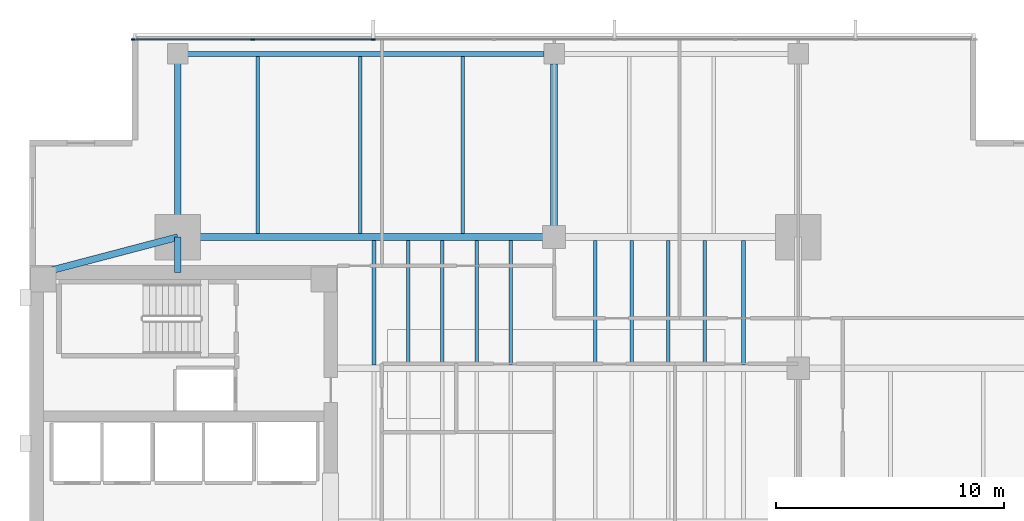
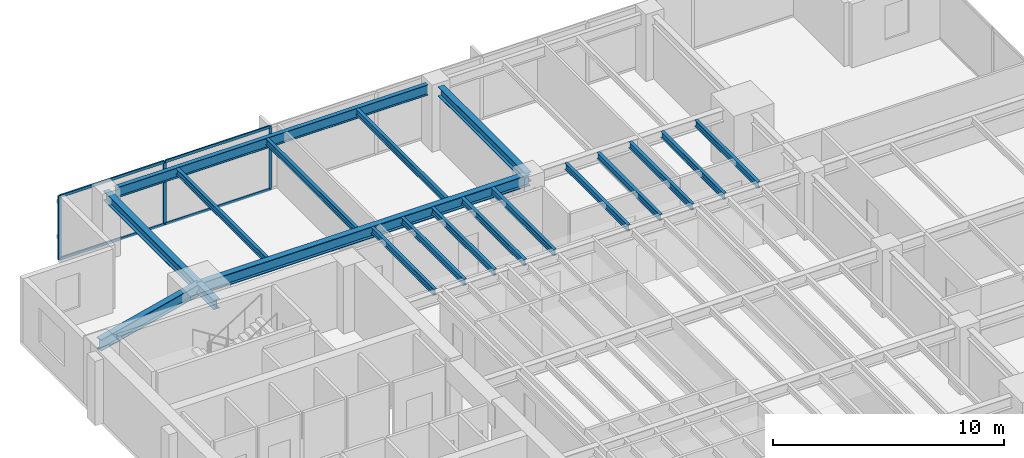
# One storey, part 5 of 14: 19 beams, 7 members, 1 element without a shape of its own.
"""IFC4 building model written with IfcOpenShell, lengths in metres."""

from ifc_helpers import new_model, si_unit, direction, frame, origin, origin_2d, place, context, subcontext, project, spatial, rectangle, i_section, extrude, material, layer, layer_set, material_profile, profile_set, type_object, element, aggregate, save


model = new_model("IFC4")

# Units and contexts
model_context = context("Model", 3, precision=1e-05, world=origin(), true_north=direction((0.0, 1.0)))
body_context = subcontext(model_context, "Body", "Model", "MODEL_VIEW")
ifc_project = project(units=[si_unit("LENGTHUNIT", "METRE"), si_unit("AREAUNIT", "SQUARE_METRE"), si_unit("VOLUMEUNIT", "CUBIC_METRE"), si_unit("PLANEANGLEUNIT", "RADIAN"), si_unit("MASSUNIT", "GRAM", prefix="KILO")], contexts=[model_context])

# Site, building, storey
site_placement = place(None, origin())
site = spatial("IfcSite", under=ifc_project, at=site_placement, CompositionType="ELEMENT")
building_placement = place(site_placement, origin())
building = spatial("IfcBuilding", under=site, at=building_placement, Name="Kinhvarn Gate Tower", CompositionType="ELEMENT")
storey_placement = place(building_placement, frame((0.0, 0.0, 116.449951171875)))
storey = spatial("IfcBuildingStorey", under=building, at=storey_placement, Name="L30", CompositionType="ELEMENT", Elevation=116.449951171875)

# Curtain wall, members
ifc_material_1 = material(Name="Anodised aluminium AW-6063", Category="aluminium")
ifc_layer = layer(ifc_material_1, 0.179931640625)
ifc_layer_set = layer_set([ifc_layer], Name="Anodised aluminium AW-6063")
curtain_wall_type = type_object("IfcCurtainWallType", Name="CW-SYS-3", PredefinedType="NOTDEFINED", material=ifc_layer_set)
curtain_wall_placement = place(storey_placement, origin())
curtain_wall = element("IfcCurtainWall", 1, at=curtain_wall_placement, inside=storey, type_object=curtain_wall_type, Name="Curtain Wall CW3 (L30)", PredefinedType="NOTDEFINED")
ifc_material_profile_1 = material_profile(ifc_material_1, rectangle(XDim=0.06494140625, YDim=0.159912109375, at=origin_2d()), Name="ALU 65x160")
ifc_profile_set_1 = profile_set([ifc_material_profile_1], Name="Anodised aluminium AW-6063")
member_type_1 = type_object("IfcMemberType", Name="CW-MUL-160", PredefinedType="MULLION", material=ifc_profile_set_1)
member_1_placement = place(storey_placement, frame((19.571533203125, 46.409912109375, 0.0), z_axis=(0.0, 0.0, 1.0), x_axis=(0.0, -1.0, 0.0)))
member_1 = element("IfcMember", 2, at=member_1_placement, type_object=member_type_1, Name="CW3 mullion 6", PredefinedType="MULLION", context=body_context, shape_type="SweptSolid", body=[
    extrude(rectangle(XDim=0.06494140625, YDim=0.159912109375, at=origin_2d()), origin(), (0.0, 0.0, 1.0), 3.3701171875),
])
member_2_placement = place(storey_placement, frame((14.28564453125, 46.409912109375, 0.0), z_axis=(0.0, 0.0, 1.0), x_axis=(0.0, -1.0, 0.0)))
member_2 = element("IfcMember", 3, at=member_2_placement, type_object=member_type_1, Name="CW3 mullion 7", PredefinedType="MULLION", context=body_context, shape_type="SweptSolid", body=[
    extrude(rectangle(XDim=0.06494140625, YDim=0.159912109375, at=origin_2d()), origin(), (0.0, 0.0, 1.0), 3.3701171875),
])
member_3_placement = place(storey_placement, frame((9.032470703125, 46.409912109375, 0.0), z_axis=(0.0, 0.0, 1.0), x_axis=(0.0, -1.0, 0.0)))
member_3 = element("IfcMember", 4, at=member_3_placement, type_object=member_type_1, Name="CW3 mullion 8", PredefinedType="MULLION", context=body_context, shape_type="SweptSolid", body=[
    extrude(rectangle(XDim=0.06494140625, YDim=0.159912109375, at=origin_2d()), origin(), (0.0, 0.0, 1.0), 3.3701171875),
])
ifc_material_profile_2 = material_profile(ifc_material_1, rectangle(XDim=0.070068359375, YDim=0.139892578125, at=origin_2d()), Name="ALU 70x140")
ifc_profile_set_2 = profile_set([ifc_material_profile_2], Name="Anodised aluminium AW-6063")
member_type_2 = type_object("IfcMemberType", Name="CW-TRN-140", PredefinedType="USERDEFINED", material=ifc_profile_set_2)
member_4_placement = place(storey_placement, frame((19.538818359375, 46.409912109375, 0.03515625), z_axis=(-1.0, 0.0, 0.0), x_axis=(0.0, -1.0, 0.0)))
member_4 = element("IfcMember", 5, at=member_4_placement, type_object=member_type_2, Name="CW3 transom 6.1", ObjectType="TRANSOM", PredefinedType="USERDEFINED", context=body_context, shape_type="SweptSolid", body=[
    extrude(rectangle(XDim=0.070068359375, YDim=0.139892578125, at=origin_2d()), origin(), (0.0, 0.0, 1.0), 5.220703125),
])
member_5_placement = place(storey_placement, frame((19.538818359375, 46.409912109375, 3.3349609375), z_axis=(-1.0, 0.0, 0.0), x_axis=(0.0, -1.0, 0.0)))
member_5 = element("IfcMember", 6, at=member_5_placement, type_object=member_type_2, Name="CW3 transom 6.2", ObjectType="TRANSOM", PredefinedType="USERDEFINED", context=body_context, shape_type="SweptSolid", body=[
    extrude(rectangle(XDim=0.070068359375, YDim=0.139892578125, at=origin_2d()), origin(), (0.0, 0.0, 1.0), 5.220703125),
])
member_6_placement = place(storey_placement, frame((14.253173828125, 46.409912109375, 0.03515625), z_axis=(-1.0, 0.0, 0.0), x_axis=(0.0, -1.0, 0.0)))
member_6 = element("IfcMember", 7, at=member_6_placement, type_object=member_type_2, Name="CW3 transom 7.1", ObjectType="TRANSOM", PredefinedType="USERDEFINED", context=body_context, shape_type="SweptSolid", body=[
    extrude(rectangle(XDim=0.070068359375, YDim=0.139892578125, at=origin_2d()), origin(), (0.0, 0.0, 1.0), 5.188232421875),
])
member_7_placement = place(storey_placement, frame((14.253173828125, 46.409912109375, 3.3349609375), z_axis=(-1.0, 0.0, 0.0), x_axis=(0.0, -1.0, 0.0)))
member_7 = element("IfcMember", 8, at=member_7_placement, type_object=member_type_2, Name="CW3 transom 7.2", ObjectType="TRANSOM", PredefinedType="USERDEFINED", context=body_context, shape_type="SweptSolid", body=[
    extrude(rectangle(XDim=0.070068359375, YDim=0.139892578125, at=origin_2d()), origin(), (0.0, 0.0, 1.0), 5.188232421875),
])
aggregate(curtain_wall, [member_1, member_2, member_3, member_4, member_5, member_6, member_7])

# Beams
ifc_material_2 = material(Name="Steel S355", Category="steel")
ifc_material_profile_3 = material_profile(ifc_material_2, i_section(OverallWidth=0.300048828125, OverallDepth=0.5, WebThickness=0.014404296875, FlangeThickness=0.028076171875, at=origin_2d()), Name="HEB 500")
ifc_profile_set_3 = profile_set([ifc_material_profile_3], Name="Steel S355")
beam_type_1 = type_object("IfcBeamType", Name="STL-HEB500", PredefinedType="BEAM", material=ifc_profile_set_3)
beam_1_placement = place(storey_placement, frame((11.0, 36.199951171875, 3.1201171875), z_axis=(0.0, 1.0, 0.0), x_axis=(-1.0, 0.0, 0.0)))
element("IfcBeam", 9, at=beam_1_placement, inside=storey, type_object=beam_type_1, Name="Floor Beam PG-14 (L30 MCW-CN)", PredefinedType="BEAM", context=body_context, shape_type="SweptSolid", body=[
    extrude(i_section(OverallWidth=0.300048828125, OverallDepth=0.5, WebThickness=0.014404296875, FlangeThickness=0.028076171875, at=origin_2d()), origin(), (0.0, 0.0, 1.0), 1.550048828125),
])
beam_2_placement = place(storey_placement, frame((11.0, 37.75, 3.1201171875), z_axis=(0.0, 1.0, 0.0), x_axis=(-1.0, 0.0, 0.0)))
element("IfcBeam", 10, at=beam_2_placement, inside=storey, type_object=beam_type_1, Name="Floor Beam PG-14 (L30 MCW-N)", PredefinedType="BEAM", context=body_context, shape_type="SweptSolid", body=[
    extrude(i_section(OverallWidth=0.300048828125, OverallDepth=0.5, WebThickness=0.014404296875, FlangeThickness=0.028076171875, at=origin_2d()), origin(), (0.0, 0.0, 1.0), 8.030029296875),
])
beam_3_placement = place(storey_placement, frame((27.5, 37.75, 3.1201171875), z_axis=(0.0, 1.0, 0.0), x_axis=(-1.0, 0.0, 0.0)))
element("IfcBeam", 11, at=beam_3_placement, inside=storey, type_object=beam_type_1, Name="Floor Beam PG-14 (L30 SP27-N-TIE)", PredefinedType="BEAM", context=body_context, shape_type="SweptSolid", body=[
    extrude(i_section(OverallWidth=0.300048828125, OverallDepth=0.5, WebThickness=0.014404296875, FlangeThickness=0.028076171875, at=origin_2d()), origin(), (0.0, 0.0, 1.0), 7.594970703125),
])
ifc_material_profile_4 = material_profile(ifc_material_2, i_section(OverallWidth=0.300048828125, OverallDepth=0.60009765625, WebThickness=0.015380859375, FlangeThickness=0.030029296875, at=origin_2d()), Name="HEB 600")
ifc_profile_set_4 = profile_set([ifc_material_profile_4], Name="Steel S355")
beam_type_2 = type_object("IfcBeamType", Name="STL-HEB600", PredefinedType="BEAM", material=ifc_profile_set_4)
beam_4_placement = place(storey_placement, frame((11.0, 37.75, 3.070068359375), z_axis=(1.0, 0.0, 0.0), x_axis=(0.0, 1.0, 0.0)))
element("IfcBeam", 12, at=beam_4_placement, inside=storey, type_object=beam_type_2, Name="Floor Beam PG-16 (L30 MG-N1)", PredefinedType="BEAM", context=body_context, shape_type="SweptSolid", body=[
    extrude(i_section(OverallWidth=0.300048828125, OverallDepth=0.60009765625, WebThickness=0.015380859375, FlangeThickness=0.030029296875, at=origin_2d()), origin(), (0.0, 0.0, 1.0), 16.5),
])
beam_5_placement = place(storey_placement, frame((5.10009765625, 36.199951171875, 3.070068359375), z_axis=(0.967177623957, 0.254101246979, 0.0), x_axis=(-0.254101246979, 0.967177623957, 0.0)))
element("IfcBeam", 13, at=beam_5_placement, inside=storey, type_object=beam_type_2, Name="Floor Beam PG-16 (L30 MG-NW-DIAG)", PredefinedType="BEAM", context=body_context, shape_type="SweptSolid", body=[
    extrude(i_section(OverallWidth=0.300048828125, OverallDepth=0.60009765625, WebThickness=0.015380859375, FlangeThickness=0.030029296875, at=origin_2d()), origin(), (0.0, 0.0, 1.0), 6.10009765625),
])
ifc_material_profile_5 = material_profile(ifc_material_2, i_section(OverallWidth=0.159912109375, OverallDepth=0.330078125, WebThickness=0.007568359375, FlangeThickness=0.011474609375, at=origin_2d()), Name="IPE 330")
ifc_profile_set_5 = profile_set([ifc_material_profile_5], Name="Steel S355")
beam_type_3 = type_object("IfcBeamType", Name="STL-IPE330", PredefinedType="JOIST", material=ifc_profile_set_5)
for number, where, z_axis, x_axis, name in (
    (14, (19.60009765625, 32.14990234375, 3.205078125), (0.0, 1.0, 0.0), (-1.0, 0.0, 0.0), "Floor Joist SB-03 (L30 JC-X196-3)"),
    (15, (21.10009765625, 32.14990234375, 3.205078125), (0.0, 1.0, 0.0), (-1.0, 0.0, 0.0), "Floor Joist SB-03 (L30 JC-X211-3)"),
    (16, (22.60009765625, 32.14990234375, 3.205078125), (0.0, 1.0, 0.0), (-1.0, 0.0, 0.0), "Floor Joist SB-03 (L30 JC-X226-3)"),
    (17, (24.10009765625, 32.14990234375, 3.205078125), (0.0, 1.0, 0.0), (-1.0, 0.0, 0.0), "Floor Joist SB-03 (L30 JC-X241-3)"),
    (18, (25.60009765625, 32.14990234375, 3.205078125), (0.0, 1.0, 0.0), (-1.0, 0.0, 0.0), "Floor Joist SB-03 (L30 JC-X256-3)"),
    (19, (29.300048828125, 32.14990234375, 3.205078125), (0.0, 1.0, 0.0), (-1.0, 0.0, 0.0), "Floor Joist SB-03 (L30 JC-X293-3)"),
    (20, (30.89990234375, 32.14990234375, 3.205078125), (0.0, 1.0, 0.0), (-1.0, 0.0, 0.0), "Floor Joist SB-03 (L30 JC-X309-3)"),
    (21, (32.5, 32.14990234375, 3.205078125), (0.0, 1.0, 0.0), (-1.0, 0.0, 0.0), "Floor Joist SB-03 (L30 JC-X325-3)"),
    (22, (34.10009765625, 32.14990234375, 3.205078125), (0.0, 1.0, 0.0), (-1.0, 0.0, 0.0), "Floor Joist SB-03 (L30 JC-X341-3)"),
    (23, (35.800048828125, 32.14990234375, 3.205078125), (0.0, 1.0, 0.0), (-1.0, 0.0, 0.0), "Floor Joist SB-03 (L30 JC-X358-3)"),
):
    element("IfcBeam", number, at=place(storey_placement, frame(where, z_axis=z_axis, x_axis=x_axis)), inside=storey, type_object=beam_type_3, Name=name, PredefinedType="JOIST", context=body_context, shape_type="SweptSolid", body=[
        extrude(i_section(OverallWidth=0.159912109375, OverallDepth=0.330078125, WebThickness=0.007568359375, FlangeThickness=0.011474609375, at=origin_2d()), origin(), (0.0, 0.0, 1.0), 5.4501953125),
    ])
for number, where, z_axis, x_axis, name in (
    (24, (14.5, 37.89990234375, 3.205078125), (0.0, 1.0, 0.0), (-1.0, 0.0, 0.0), "Floor Joist SB-03 (L30 JN-X145)"),
    (25, (19.0, 37.89990234375, 3.205078125), (0.0, 1.0, 0.0), (-1.0, 0.0, 0.0), "Floor Joist SB-03 (L30 JN-X190)"),
    (26, (23.5, 37.89990234375, 3.205078125), (0.0, 1.0, 0.0), (-1.0, 0.0, 0.0), "Floor Joist SB-03 (L30 JN-X235)"),
):
    element("IfcBeam", number, at=place(storey_placement, frame(where, z_axis=z_axis, x_axis=x_axis)), inside=storey, type_object=beam_type_3, Name=name, PredefinedType="JOIST", context=body_context, shape_type="SweptSolid", body=[
        extrude(i_section(OverallWidth=0.159912109375, OverallDepth=0.330078125, WebThickness=0.007568359375, FlangeThickness=0.011474609375, at=origin_2d()), origin(), (0.0, 0.0, 1.0), 7.775146484375),
    ])
ifc_material_profile_6 = material_profile(ifc_material_2, i_section(OverallWidth=0.2099609375, OverallDepth=0.550048828125, WebThickness=0.010986328125, FlangeThickness=0.01708984375, at=origin_2d()), Name="IPE 550")
ifc_profile_set_6 = profile_set([ifc_material_profile_6], Name="Steel S355")
beam_type_4 = type_object("IfcBeamType", Name="STL-IPE550", PredefinedType="SPANDREL", material=ifc_profile_set_6)
beam_6_placement = place(storey_placement, frame((11.43505859375, 45.780029296875, 3.094970703125), z_axis=(1.0, 0.0, 0.0), x_axis=(0.0, 1.0, 0.0)))
element("IfcBeam", 27, at=beam_6_placement, inside=storey, type_object=beam_type_4, Name="Floor Spandrel SB-08 (L30 SP-N1)", PredefinedType="SPANDREL", context=body_context, shape_type="SweptSolid", body=[
    extrude(i_section(OverallWidth=0.2099609375, OverallDepth=0.550048828125, WebThickness=0.010986328125, FlangeThickness=0.01708984375, at=origin_2d()), origin(), (0.0, 0.0, 1.0), 15.6298828125),
])

save(model, "model.ifc")
